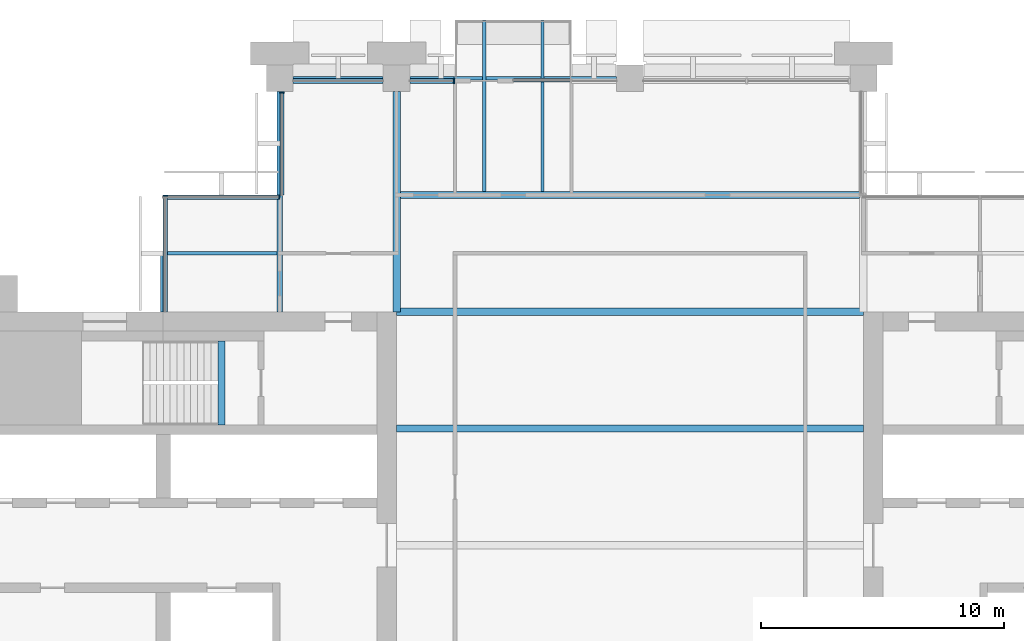
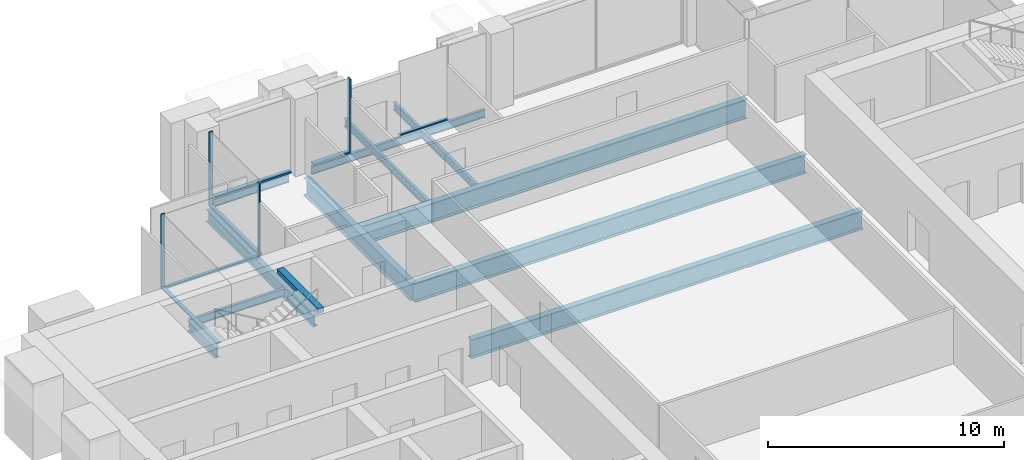
# One storey, part 5 of 14: 14 beams, 10 members, 5 elements without a shape of their own.
"""IFC4 building model written with IfcOpenShell, lengths in metres."""

from ifc_helpers import new_model, si_unit, direction, frame, origin, origin_2d, place, context, subcontext, project, spatial, rectangle, i_section, extrude, material, material_profile, profile_set, type_object, element, aggregate, save


model = new_model("IFC4")

# Units and contexts
model_context = context("Model", 3, precision=1e-05, world=origin(), true_north=direction((0.0, 1.0)))
body_context = subcontext(model_context, "Body", "Model", "MODEL_VIEW")
ifc_project = project(units=[si_unit("LENGTHUNIT", "METRE"), si_unit("AREAUNIT", "SQUARE_METRE"), si_unit("VOLUMEUNIT", "CUBIC_METRE"), si_unit("PLANEANGLEUNIT", "RADIAN"), si_unit("MASSUNIT", "GRAM", prefix="KILO")], contexts=[model_context])

# Site, building, storey
site_placement = place(None, origin())
site = spatial("IfcSite", under=ifc_project, at=site_placement, CompositionType="ELEMENT")
building_placement = place(site_placement, origin())
building = spatial("IfcBuilding", under=site, at=building_placement, Name="Baori Bourse Tower", CompositionType="ELEMENT")
storey_placement = place(building_placement, frame((0.0, 0.0, 209.199951171875)))
storey = spatial("IfcBuildingStorey", under=building, at=storey_placement, Name="L45", CompositionType="ELEMENT", Elevation=209.199951171875)

# Beams
ifc_material_1 = material(Name="Steel A992 Gr 50", Category="steel")
ifc_material_profile_1 = material_profile(ifc_material_1, i_section(OverallWidth=0.140380859375, OverallDepth=0.40380859375, WebThickness=0.007080078125, FlangeThickness=0.01123046875, at=origin_2d()), Name="W16x31")
ifc_profile_set_1 = profile_set([ifc_material_profile_1], Name="Steel A992 Gr 50")
beam_type_1 = type_object("IfcBeamType", Name="Balcony beam W16x31", PredefinedType="BEAM", material=ifc_profile_set_1)
for number, where, z_axis, x_axis, name in (
    (1, (22.800048828125, 50.39990234375, -0.36181640625), (0.0, -1.0, 0.0), (1.0, 0.0, 0.0), "Balcony beam L45"),
    (2, (25.199951171875, 50.39990234375, -0.36181640625), (0.0, -1.0, 0.0), (1.0, 0.0, 0.0), "Balcony beam L45"),
):
    element("IfcBeam", number, at=place(storey_placement, frame(where, z_axis=z_axis, x_axis=x_axis)), inside=storey, type_object=beam_type_1, Name=name, PredefinedType="BEAM", context=body_context, shape_type="SweptSolid", body=[
        extrude(i_section(OverallWidth=0.140380859375, OverallDepth=0.40380859375, WebThickness=0.007080078125, FlangeThickness=0.01123046875, at=origin_2d()), origin(), (0.0, 0.0, 1.0), 7.050048828125),
    ])

# Curtain wall, member
ifc_material_2 = material(Name="Pale anodised aluminium", Category="aluminium")
curtain_wall_type_1 = type_object("IfcCurtainWallType", Name="CW2 Curtain wall", PredefinedType="NOTDEFINED", material=ifc_material_2)
curtain_wall_1_placement = place(storey_placement, origin())
curtain_wall_1 = element("IfcCurtainWall", 3, at=curtain_wall_1_placement, inside=storey, type_object=curtain_wall_type_1, Name="Curtain wall CW2 L45 7", PredefinedType="NOTDEFINED")
ifc_material_3 = material(Name="Pale anodised aluminium", Category="aluminium")
ifc_material_profile_2 = material_profile(ifc_material_3, rectangle(XDim=0.179931640625, YDim=0.054931640625, at=origin_2d()), Name="Mullion 55x180")
ifc_profile_set_2 = profile_set([ifc_material_profile_2], Name="Pale anodised aluminium")
member_type_1 = type_object("IfcMemberType", Name="CW2 Curtain wall mullion", PredefinedType="MULLION", material=ifc_profile_set_2)
member_1_placement = place(storey_placement, frame((14.489990234375, 47.422607421875, 0.070068359375), z_axis=(0.0, 0.0, 1.0), x_axis=(1.0, 0.0, 0.0)))
member_1 = element("IfcMember", 4, at=member_1_placement, type_object=member_type_1, Name="Curtain wall CW2 mullion", PredefinedType="MULLION", context=body_context, shape_type="SweptSolid", body=[
    extrude(rectangle(XDim=0.179931640625, YDim=0.054931640625, at=origin_2d()), origin(), (0.0, 0.0, 1.0), 3.77001953125),
])

curtain_wall_2_placement = place(storey_placement, origin())
curtain_wall_2 = element("IfcCurtainWall", 5, at=curtain_wall_2_placement, inside=storey, type_object=curtain_wall_type_1, Name="Curtain wall CW2 L45 8", PredefinedType="NOTDEFINED")
member_2_placement = place(storey_placement, frame((14.37255859375, 43.110107421875, 0.070068359375), z_axis=(0.0, 0.0, 1.0), x_axis=(0.0, -1.0, 0.0)))
member_2 = element("IfcMember", 6, at=member_2_placement, type_object=member_type_1, Name="Curtain wall CW2 mullion", PredefinedType="MULLION", context=body_context, shape_type="SweptSolid", body=[
    extrude(rectangle(XDim=0.179931640625, YDim=0.054931640625, at=origin_2d()), origin(), (0.0, 0.0, 1.0), 3.77001953125),
])

curtain_wall_3_placement = place(storey_placement, origin())
curtain_wall_3 = element("IfcCurtainWall", 7, at=curtain_wall_3_placement, inside=storey, type_object=curtain_wall_type_1, Name="Curtain wall CW2 L45 9", PredefinedType="NOTDEFINED")
member_3_placement = place(storey_placement, frame((9.68994140625, 43.172607421875, 0.070068359375), z_axis=(0.0, 0.0, 1.0), x_axis=(1.0, 0.0, 0.0)))
member_3 = element("IfcMember", 8, at=member_3_placement, type_object=member_type_1, Name="Curtain wall CW2 mullion", PredefinedType="MULLION", context=body_context, shape_type="SweptSolid", body=[
    extrude(rectangle(XDim=0.179931640625, YDim=0.054931640625, at=origin_2d()), origin(), (0.0, 0.0, 1.0), 3.77001953125),
])

# Member
ifc_material_4 = material(Name="Pale anodised aluminium", Category="aluminium")
ifc_material_profile_3 = material_profile(ifc_material_4, rectangle(XDim=0.179931640625, YDim=0.070068359375, at=origin_2d()), Name="Transom 70x180")
ifc_profile_set_3 = profile_set([ifc_material_profile_3], Name="Pale anodised aluminium")
member_type_2 = type_object("IfcMemberType", Name="CW2 Curtain wall transom", PredefinedType="USERDEFINED", material=ifc_profile_set_3)
member_4_placement = place(storey_placement, frame((14.489990234375, 47.449951171875, 0.03515625), z_axis=(0.0, -1.0, 0.0), x_axis=(1.0, 0.0, 0.0)))
member_4 = element("IfcMember", 9, at=member_4_placement, type_object=member_type_2, Name="Curtain wall CW2 sill rail", ObjectType="TRANSOM", PredefinedType="USERDEFINED", context=body_context, shape_type="SweptSolid", body=[
    extrude(rectangle(XDim=0.179931640625, YDim=0.070068359375, at=origin_2d()), origin(), (0.0, 0.0, 1.0), 4.25),
])

aggregate(curtain_wall_1, [member_4, member_1])

member_5_placement = place(storey_placement, frame((14.39990234375, 43.110107421875, 0.03515625), z_axis=(-1.0, 0.0, 0.0), x_axis=(0.0, -1.0, 0.0)))
member_5 = element("IfcMember", 10, at=member_5_placement, type_object=member_type_2, Name="Curtain wall CW2 sill rail", ObjectType="TRANSOM", PredefinedType="USERDEFINED", context=body_context, shape_type="SweptSolid", body=[
    extrude(rectangle(XDim=0.179931640625, YDim=0.070068359375, at=origin_2d()), origin(), (0.0, 0.0, 1.0), 4.7998046875),
])

aggregate(curtain_wall_2, [member_5, member_2])

member_6_placement = place(storey_placement, frame((9.68994140625, 43.199951171875, 0.03515625), z_axis=(0.0, -1.0, 0.0), x_axis=(1.0, 0.0, 0.0)))
member_6 = element("IfcMember", 11, at=member_6_placement, type_object=member_type_2, Name="Curtain wall CW2 sill rail", ObjectType="TRANSOM", PredefinedType="USERDEFINED", context=body_context, shape_type="SweptSolid", body=[
    extrude(rectangle(XDim=0.179931640625, YDim=0.070068359375, at=origin_2d()), origin(), (0.0, 0.0, 1.0), 4.800048828125),
])

aggregate(curtain_wall_3, [member_6, member_3])

# Curtain wall, members
ifc_material_5 = material(Name="Pale anodised aluminium", Category="aluminium")
curtain_wall_type_2 = type_object("IfcCurtainWallType", Name="CW5 Curtain wall", PredefinedType="NOTDEFINED", material=ifc_material_5)
curtain_wall_4_placement = place(storey_placement, origin())
curtain_wall_4 = element("IfcCurtainWall", 12, at=curtain_wall_4_placement, inside=storey, type_object=curtain_wall_type_2, Name="Curtain wall CW5 L45 6", PredefinedType="NOTDEFINED")
ifc_material_6 = material(Name="Pale anodised aluminium", Category="aluminium")
ifc_material_profile_4 = material_profile(ifc_material_6, rectangle(XDim=0.219970703125, YDim=0.06494140625, at=origin_2d()), Name="Mullion 65x220")
ifc_profile_set_4 = profile_set([ifc_material_profile_4], Name="Pale anodised aluminium")
member_type_3 = type_object("IfcMemberType", Name="CW5 Curtain wall mullion", PredefinedType="MULLION", material=ifc_profile_set_4)
member_7_placement = place(storey_placement, frame((21.5673828125, 47.889892578125, 0.0849609375), z_axis=(0.0, 0.0, 1.0), x_axis=(0.0, -1.0, 0.0)))
member_7 = element("IfcMember", 13, at=member_7_placement, type_object=member_type_3, Name="Curtain wall CW5 mullion", PredefinedType="MULLION", context=body_context, shape_type="SweptSolid", body=[
    extrude(rectangle(XDim=0.219970703125, YDim=0.06494140625, at=origin_2d()), origin(), (0.0, 0.0, 1.0), 3.755126953125),
])
ifc_material_7 = material(Name="Pale anodised aluminium", Category="aluminium")
ifc_material_profile_5 = material_profile(ifc_material_7, rectangle(XDim=0.219970703125, YDim=0.0849609375, at=origin_2d()), Name="Transom 85x220")
ifc_profile_set_5 = profile_set([ifc_material_profile_5], Name="Pale anodised aluminium")
member_type_4 = type_object("IfcMemberType", Name="CW5 Curtain wall transom", PredefinedType="USERDEFINED", material=ifc_profile_set_5)
member_8_placement = place(storey_placement, frame((21.60009765625, 47.889892578125, 0.04248046875), z_axis=(-1.0, 0.0, 0.0), x_axis=(0.0, -1.0, 0.0)))
member_8 = element("IfcMember", 14, at=member_8_placement, type_object=member_type_4, Name="Curtain wall CW5 sill rail", ObjectType="TRANSOM", PredefinedType="USERDEFINED", context=body_context, shape_type="SweptSolid", body=[
    extrude(rectangle(XDim=0.219970703125, YDim=0.0849609375, at=origin_2d()), origin(), (0.0, 0.0, 1.0), 1.85009765625),
])
member_9_placement = place(storey_placement, frame((18.64990234375, 47.889892578125, 0.04248046875), z_axis=(-1.0, 0.0, 0.0), x_axis=(0.0, -1.0, 0.0)))
member_9 = element("IfcMember", 15, at=member_9_placement, type_object=member_type_4, Name="Curtain wall CW5 sill rail", ObjectType="TRANSOM", PredefinedType="USERDEFINED", context=body_context, shape_type="SweptSolid", body=[
    extrude(rectangle(XDim=0.219970703125, YDim=0.0849609375, at=origin_2d()), origin(), (0.0, 0.0, 1.0), 3.699951171875),
])
aggregate(curtain_wall_4, [member_8, member_7, member_9])

# Curtain wall, member
ifc_material_8 = material(Name="Pale anodised aluminium", Category="aluminium")
curtain_wall_type_3 = type_object("IfcCurtainWallType", Name="CW6 Curtain wall", PredefinedType="NOTDEFINED", material=ifc_material_8)
curtain_wall_5_placement = place(storey_placement, origin())
curtain_wall_5 = element("IfcCurtainWall", 16, at=curtain_wall_5_placement, inside=storey, type_object=curtain_wall_type_3, Name="Curtain wall CW6 L45 5", PredefinedType="NOTDEFINED")
ifc_material_9 = material(Name="Pale anodised aluminium", Category="aluminium")
ifc_material_profile_6 = material_profile(ifc_material_9, rectangle(XDim=0.14990234375, YDim=0.06494140625, at=origin_2d()), Name="Transom 65x150")
ifc_profile_set_6 = profile_set([ifc_material_profile_6], Name="Pale anodised aluminium")
member_type_5 = type_object("IfcMemberType", Name="CW6 Curtain wall transom", PredefinedType="USERDEFINED", material=ifc_profile_set_6)
member_10_placement = place(storey_placement, frame((26.39990234375, 47.925048828125, 0.032470703125), z_axis=(-1.0, 0.0, 0.0), x_axis=(0.0, -1.0, 0.0)))
member_10 = element("IfcMember", 17, at=member_10_placement, type_object=member_type_5, Name="Curtain wall CW6 sill rail", ObjectType="TRANSOM", PredefinedType="USERDEFINED", context=body_context, shape_type="SweptSolid", body=[
    extrude(rectangle(XDim=0.14990234375, YDim=0.06494140625, at=origin_2d()), origin(), (0.0, 0.0, 1.0), 2.39990234375),
])
aggregate(curtain_wall_5, [member_10])

# Beams
ifc_material_10 = material(Name="Steel A992 Gr 50", Category="steel")
ifc_material_profile_7 = material_profile(ifc_material_10, i_section(OverallWidth=0.21240234375, OverallDepth=0.54345703125, WebThickness=0.01318359375, FlangeThickness=0.021240234375, at=origin_2d()), Name="W21x83")
ifc_profile_set_7 = profile_set([ifc_material_profile_7], Name="Steel A992 Gr 50")
beam_type_2 = type_object("IfcBeamType", Name="Core bracket W21x83", PredefinedType="BEAM", material=ifc_profile_set_7)
beam_1_placement = place(storey_placement, frame((9.60009765625, 38.39990234375, -0.431640625), z_axis=(0.0, 1.0, 0.0), x_axis=(-1.0, 0.0, 0.0)))
element("IfcBeam", 18, at=beam_1_placement, inside=storey, type_object=beam_type_2, Name="Core bracket L45", PredefinedType="BEAM", context=body_context, shape_type="SweptSolid", body=[
    extrude(i_section(OverallWidth=0.21240234375, OverallDepth=0.54345703125, WebThickness=0.01318359375, FlangeThickness=0.021240234375, at=origin_2d()), origin(), (0.0, 0.0, 1.0), 2.329833984375),
])
ifc_material_11 = material(Name="Steel A992 Gr 50", Category="steel")
ifc_material_profile_8 = material_profile(ifc_material_11, i_section(OverallWidth=0.140380859375, OverallDepth=0.40380859375, WebThickness=0.007080078125, FlangeThickness=0.01123046875, at=origin_2d()), Name="W16x31")
ifc_profile_set_8 = profile_set([ifc_material_profile_8], Name="Steel A992 Gr 50")
beam_type_3 = type_object("IfcBeamType", Name="Edge beam W16x31", PredefinedType="BEAM", material=ifc_profile_set_8)
beam_2_placement = place(storey_placement, frame((14.949951171875, 48.0, -0.36181640625), z_axis=(1.0, 0.0, 0.0), x_axis=(0.0, 1.0, 0.0)))
element("IfcBeam", 19, at=beam_2_placement, inside=storey, type_object=beam_type_3, Name="Edge beam L45", PredefinedType="BEAM", context=body_context, shape_type="SweptSolid", body=[
    extrude(i_section(OverallWidth=0.140380859375, OverallDepth=0.40380859375, WebThickness=0.007080078125, FlangeThickness=0.01123046875, at=origin_2d()), origin(), (0.0, 0.0, 1.0), 3.699951171875),
])
beam_3_placement = place(storey_placement, frame((19.75, 48.0, -0.36181640625), z_axis=(1.0, 0.0, 0.0), x_axis=(0.0, 1.0, 0.0)))
element("IfcBeam", 20, at=beam_3_placement, inside=storey, type_object=beam_type_3, Name="Edge beam L45", PredefinedType="BEAM", context=body_context, shape_type="SweptSolid", body=[
    extrude(i_section(OverallWidth=0.140380859375, OverallDepth=0.40380859375, WebThickness=0.007080078125, FlangeThickness=0.01123046875, at=origin_2d()), origin(), (0.0, 0.0, 1.0), 2.979736328125),
])
beam_4_placement = place(storey_placement, frame((22.8701171875, 48.0, -0.36181640625), z_axis=(1.0, 0.0, 0.0), x_axis=(0.0, 1.0, 0.0)))
element("IfcBeam", 21, at=beam_4_placement, inside=storey, type_object=beam_type_3, Name="Edge beam L45", PredefinedType="BEAM", context=body_context, shape_type="SweptSolid", body=[
    extrude(i_section(OverallWidth=0.140380859375, OverallDepth=0.40380859375, WebThickness=0.007080078125, FlangeThickness=0.01123046875, at=origin_2d()), origin(), (0.0, 0.0, 1.0), 2.259765625),
])
beam_5_placement = place(storey_placement, frame((25.270263671875, 48.0, -0.36181640625), z_axis=(1.0, 0.0, 0.0), x_axis=(0.0, 1.0, 0.0)))
element("IfcBeam", 22, at=beam_5_placement, inside=storey, type_object=beam_type_3, Name="Edge beam L45", PredefinedType="BEAM", context=body_context, shape_type="SweptSolid", body=[
    extrude(i_section(OverallWidth=0.140380859375, OverallDepth=0.40380859375, WebThickness=0.007080078125, FlangeThickness=0.01123046875, at=origin_2d()), origin(), (0.0, 0.0, 1.0), 2.979736328125),
])
ifc_material_12 = material(Name="Steel A992 Gr 50", Category="steel")
ifc_material_profile_9 = material_profile(ifc_material_12, i_section(OverallWidth=0.227783203125, OverallDepth=0.60205078125, WebThickness=0.010498046875, FlangeThickness=0.014892578125, at=origin_2d()), Name="W24x68")
ifc_profile_set_9 = profile_set([ifc_material_profile_9], Name="Steel A992 Gr 50")
beam_type_4 = type_object("IfcBeamType", Name="Floor beam W24x68", PredefinedType="BEAM", material=ifc_profile_set_9)
beam_6_placement = place(storey_placement, frame((14.39990234375, 38.39990234375, -0.4609375), z_axis=(0.0, 1.0, 0.0), x_axis=(-1.0, 0.0, 0.0)))
element("IfcBeam", 23, at=beam_6_placement, inside=storey, type_object=beam_type_4, Name="Floor beam L45", PredefinedType="BEAM", context=body_context, shape_type="SweptSolid", body=[
    extrude(i_section(OverallWidth=0.227783203125, OverallDepth=0.60205078125, WebThickness=0.010498046875, FlangeThickness=0.014892578125, at=origin_2d()), origin(), (0.0, 0.0, 1.0), 9.050048828125),
])
ifc_material_13 = material(Name="Steel A992 Gr 50", Category="steel")
ifc_material_profile_10 = material_profile(ifc_material_13, i_section(OverallWidth=0.2998046875, OverallDepth=0.97021484375, WebThickness=0.01611328125, FlangeThickness=0.02099609375, at=origin_2d()), Name="W40x149")
ifc_profile_set_10 = profile_set([ifc_material_profile_10], Name="Steel A992 Gr 50")
beam_type_5 = type_object("IfcBeamType", Name="Floor beam W40x149", PredefinedType="BEAM", material=ifc_profile_set_10)
for number, where, z_axis, x_axis, name in (
    (24, (19.199951171875, 33.60009765625, -0.64501953125), (1.0, 0.0, 0.0), (0.0, 1.0, 0.0), "Floor beam L45"),
    (25, (19.199951171875, 38.39990234375, -0.64501953125), (1.0, 0.0, 0.0), (0.0, 1.0, 0.0), "Floor beam L45"),
):
    element("IfcBeam", number, at=place(storey_placement, frame(where, z_axis=z_axis, x_axis=x_axis)), inside=storey, type_object=beam_type_5, Name=name, PredefinedType="BEAM", context=body_context, shape_type="SweptSolid", body=[
        extrude(i_section(OverallWidth=0.2998046875, OverallDepth=0.97021484375, WebThickness=0.01611328125, FlangeThickness=0.02099609375, at=origin_2d()), origin(), (0.0, 0.0, 1.0), 19.199951171875),
    ])
ifc_material_14 = material(Name="Steel A992 Gr 50", Category="steel")
ifc_material_profile_11 = material_profile(ifc_material_14, i_section(OverallWidth=0.2998046875, OverallDepth=0.990478515625, WebThickness=0.0166015625, FlangeThickness=0.030517578125, at=origin_2d()), Name="W40x183")
ifc_profile_set_11 = profile_set([ifc_material_profile_11], Name="Steel A992 Gr 50")
beam_type_6 = type_object("IfcBeamType", Name="Floor beam W40x183", PredefinedType="BEAM", material=ifc_profile_set_11)
beam_7_placement = place(storey_placement, frame((19.352294921875, 43.199951171875, -0.6552734375), z_axis=(1.0, 0.0, 0.0), x_axis=(0.0, 1.0, 0.0)))
element("IfcBeam", 26, at=beam_7_placement, inside=storey, type_object=beam_type_6, Name="Floor beam L45", PredefinedType="BEAM", context=body_context, shape_type="SweptSolid", body=[
    extrude(i_section(OverallWidth=0.2998046875, OverallDepth=0.990478515625, WebThickness=0.0166015625, FlangeThickness=0.030517578125, at=origin_2d()), origin(), (0.0, 0.0, 1.0), 18.895263671875),
])
ifc_material_15 = material(Name="Steel A992 Gr 50", Category="steel")
ifc_material_profile_12 = material_profile(ifc_material_15, i_section(OverallWidth=0.3046875, OverallDepth=0.904296875, WebThickness=0.01513671875, FlangeThickness=0.02001953125, at=origin_2d()), Name="W36x135")
ifc_profile_set_12 = profile_set([ifc_material_profile_12], Name="Steel A992 Gr 50")
beam_type_7 = type_object("IfcBeamType", Name="Girder W36x135", PredefinedType="BEAM", material=ifc_profile_set_12)
beam_8_placement = place(storey_placement, frame((19.199951171875, 38.39990234375, -0.612060546875), z_axis=(0.0, 1.0, 0.0), x_axis=(-1.0, 0.0, 0.0)))
element("IfcBeam", 27, at=beam_8_placement, inside=storey, type_object=beam_type_7, Name="Girder L45", PredefinedType="BEAM", context=body_context, shape_type="SweptSolid", body=[
    extrude(i_section(OverallWidth=0.3046875, OverallDepth=0.904296875, WebThickness=0.01513671875, FlangeThickness=0.02001953125, at=origin_2d()), origin(), (0.0, 0.0, 1.0), 9.050048828125),
])
ifc_material_16 = material(Name="Concrete f'c 50 MPa", Category="concrete")
ifc_material_profile_13 = material_profile(ifc_material_16, rectangle(XDim=0.300048828125, YDim=0.25, at=origin_2d()), Name="RC 300x250")
ifc_profile_set_13 = profile_set([ifc_material_profile_13], Name="Concrete f'c 50 MPa")
beam_type_8 = type_object("IfcBeamType", Name="Stair nib beam RC 300x250", PredefinedType="BEAM", material=ifc_profile_set_13)
beam_9_placement = place(storey_placement, frame((12.0, 33.75, 3.715087890625), z_axis=(0.0, 1.0, 0.0), x_axis=(-1.0, 0.0, 0.0)))
element("IfcBeam", 28, at=beam_9_placement, inside=storey, type_object=beam_type_8, Name="Stair WB nib beam L46", PredefinedType="BEAM", context=body_context, shape_type="SweptSolid", body=[
    extrude(rectangle(XDim=0.300048828125, YDim=0.25, at=origin_2d()), origin(), (0.0, 0.0, 1.0), 3.449951171875),
])
ifc_material_17 = material(Name="Steel A992 Gr 50", Category="steel")
ifc_material_profile_14 = material_profile(ifc_material_17, i_section(OverallWidth=0.140380859375, OverallDepth=0.40380859375, WebThickness=0.007080078125, FlangeThickness=0.01123046875, at=origin_2d()), Name="W16x31")
ifc_profile_set_14 = profile_set([ifc_material_profile_14], Name="Steel A992 Gr 50")
beam_type_9 = type_object("IfcBeamType", Name="Trimmer beam W16x31", PredefinedType="BEAM", material=ifc_profile_set_14)
beam_10_placement = place(storey_placement, frame((9.60009765625, 40.800048828125, -0.36181640625), z_axis=(1.0, 0.0, 0.0), x_axis=(0.0, 1.0, 0.0)))
element("IfcBeam", 29, at=beam_10_placement, inside=storey, type_object=beam_type_9, Name="Trimmer beam L45", PredefinedType="BEAM", context=body_context, shape_type="SweptSolid", body=[
    extrude(i_section(OverallWidth=0.140380859375, OverallDepth=0.40380859375, WebThickness=0.007080078125, FlangeThickness=0.01123046875, at=origin_2d()), origin(), (0.0, 0.0, 1.0), 4.68603515625),
])

save(model, "model.ifc")
